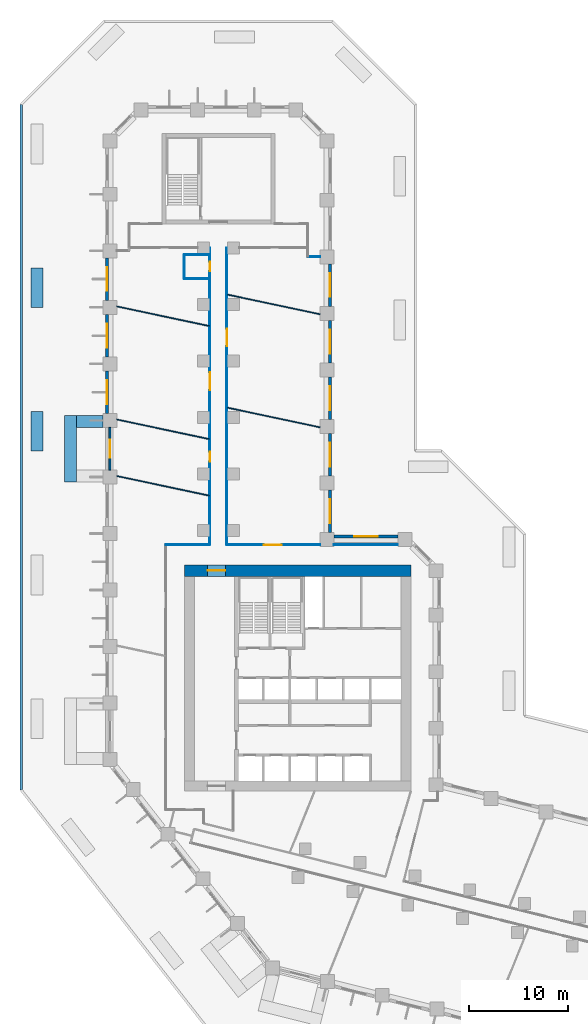
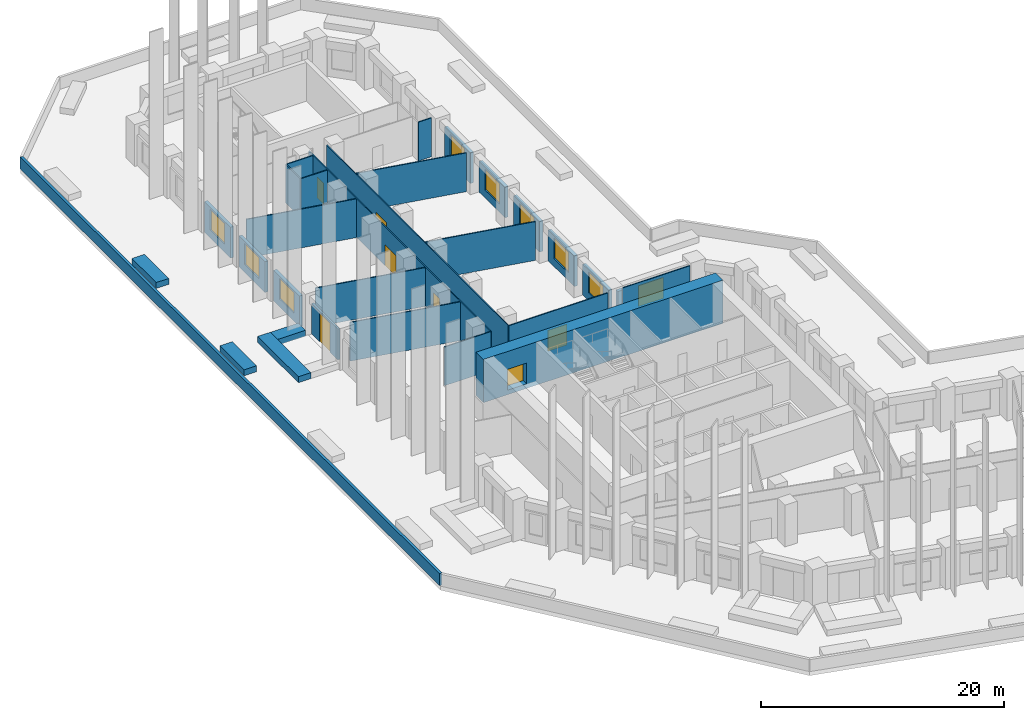
# One storey, part 9 of 13: 30 walls, 9 windows, 7 doors, 16 openings.
"""IFC4 building model written with IfcOpenShell, lengths in metres."""

import ifcopenshell
import ifcopenshell.guid

model = None  # the IFC model being written
_history = None  # IfcOwnerHistory: only IFC2X3 demands one
_inside = {}  # id of a spatial element -> (the spatial element, [elements in it])
_under = {}  # id of a project, library or spatial element -> (it, [spatial elements below it])
_declared = {}  # id of a project -> (the project, [libraries it declares])
_typed = {}  # id of a type object -> (the type object, [elements of that type])
_made_of = {}  # id of a material, layer set ... -> (it, [elements and type objects made of it])


def new_model(schema):
    """Start an empty IFC model of exactly this schema.

    Asked for "IFC4X3", IfcOpenShell would pick the latest addendum, in which some entities
    have other attributes; the version numbers below select the first issue.
    IFC2X3 requires an IfcOwnerHistory on every rooted entity: one is made here for all.
    """
    global model, _history
    if schema == "IFC4X3":
        model = ifcopenshell.file(schema_version=(4, 3, 0, 0))
    else:
        model = ifcopenshell.file(schema=schema)
    _inside.clear()
    _under.clear()
    _declared.clear()
    _typed.clear()
    _made_of.clear()
    _history = None
    if model.schema == "IFC2X3":
        org = make("IfcOrganization", Name="unknown")
        user = make(
            "IfcPersonAndOrganization",
            ThePerson=make("IfcPerson", FamilyName="unknown"),
            TheOrganization=org,
        )
        app = make(
            "IfcApplication",
            ApplicationDeveloper=org,
            Version="unknown",
            ApplicationFullName="unknown",
            ApplicationIdentifier="unknown",
        )
        _history = make(
            "IfcOwnerHistory",
            OwningUser=user,
            OwningApplication=app,
            ChangeAction="ADDED",
            CreationDate=0,
        )
    return model


def make(cls, **values):
    """One entity of the class cls with the attributes given. An attribute that is None is left unset."""
    return model.create_entity(
        cls, **{name: value for name, value in values.items() if value is not None}
    )


def rooted(cls, **values):
    """An entity with a GlobalId (a new one), such as an element, a storey or a relation."""
    return make(cls, GlobalId=ifcopenshell.guid.new(), OwnerHistory=_history, **values)


def si_unit(unit_type, name, prefix=None):
    """IfcSIUnit, for example si_unit("LENGTHUNIT", "METRE", prefix="MILLI")."""
    return make("IfcSIUnit", UnitType=unit_type, Prefix=prefix, Name=name)


def assignment(units):
    """IfcUnitAssignment: the units of a project."""
    return None if units is None else make("IfcUnitAssignment", Units=units)


def point(xyz):
    """IfcCartesianPoint."""
    return None if xyz is None else make("IfcCartesianPoint", Coordinates=xyz)


def direction(xyz):
    """IfcDirection."""
    return None if xyz is None else make("IfcDirection", DirectionRatios=xyz)


def frame(location, z_axis=None, x_axis=None):
    """IfcAxis2Placement3D, a coordinate frame: its origin and axes. An axis left out is left unset."""
    return make(
        "IfcAxis2Placement3D",
        Location=point(location),
        Axis=direction(z_axis),
        RefDirection=direction(x_axis),
    )


def frame_2d(location, x_axis=None):
    """IfcAxis2Placement2D, a coordinate frame in the plane: its origin and x axis."""
    return make(
        "IfcAxis2Placement2D", Location=point(location), RefDirection=direction(x_axis)
    )


def origin():
    """The frame at (0, 0, 0) with its axes left unset."""
    return frame((0.0, 0.0, 0.0))


def place(relative_to, where):
    """IfcLocalPlacement: puts the frame where relative to a parent placement (None: the world)."""
    return make(
        "IfcLocalPlacement", PlacementRelTo=relative_to, RelativePlacement=where
    )


def context(
    kind, dimensions, precision=None, world=None, true_north=None, identifier=None
):
    """IfcGeometricRepresentationContext, for example the 3D "Model" context."""
    return make(
        "IfcGeometricRepresentationContext",
        ContextIdentifier=identifier,
        ContextType=kind,
        CoordinateSpaceDimension=dimensions,
        Precision=precision,
        WorldCoordinateSystem=world,
        TrueNorth=true_north,
    )


def subcontext(parent, identifier, kind, view, scale=None):
    """IfcGeometricRepresentationSubContext, for example "Body" below "Model"."""
    return make(
        "IfcGeometricRepresentationSubContext",
        ContextIdentifier=identifier,
        ContextType=kind,
        ParentContext=parent,
        TargetScale=scale,
        TargetView=view,
    )


def project(units=None, contexts=None):
    """IfcProject with its units and contexts."""
    return rooted(
        "IfcProject",
        Name="project",
        RepresentationContexts=contexts,
        UnitsInContext=assignment(units),
    )


def spatial(cls, under=None, at=None, **own):
    """A site, building, storey or space (cls), placed at a placement, below another one or the project."""
    s = rooted(cls, ObjectPlacement=at, **own)
    if under is not None:
        _under.setdefault(under.id(), (under, []))[1].append(s)
    return s


def profile(cls, at=None, kind="AREA", **sizes):
    """A parametric profile (cls). Its sizes go by their IFC names, for example OverallWidth=200.0."""
    return make(cls, ProfileType=kind, Position=at, **sizes)


def rectangle(**sizes):
    """IfcRectangleProfileDef."""
    return profile("IfcRectangleProfileDef", **sizes)


def extrude(swept, where, along, depth):
    """IfcExtrudedAreaSolid: the profile swept, set in the frame where, extruded along a direction by depth."""
    return make(
        "IfcExtrudedAreaSolid",
        SweptArea=swept,
        Position=where,
        ExtrudedDirection=direction(along),
        Depth=depth,
    )


def shape(context_of_items, identifier, shape_type, items):
    """IfcShapeRepresentation: the items that make up one representation, for example the "Body"."""
    return make(
        "IfcShapeRepresentation",
        ContextOfItems=context_of_items,
        RepresentationIdentifier=identifier,
        RepresentationType=shape_type,
        Items=items,
    )


def material(Name=None, Category=None):
    """IfcMaterial."""
    return make("IfcMaterial", Name=Name, Category=Category)


def layer(
    of_material, thickness, ventilated=None, Name=None, Category=None, Priority=None
):
    """IfcMaterialLayer: one layer of a wall or slab, of a material (None: an air gap)."""
    return make(
        "IfcMaterialLayer",
        Material=of_material,
        LayerThickness=thickness,
        IsVentilated=ventilated,
        Name=Name,
        Category=Category,
        Priority=Priority,
    )


def layer_set(layers, Name=None):
    """IfcMaterialLayerSet."""
    return make("IfcMaterialLayerSet", MaterialLayers=layers, LayerSetName=Name)


def made_of(thing, what):
    """Note that an element or type object is made of a material, layer set ...; save() writes the relation."""
    if what is not None:
        _made_of.setdefault(what.id(), (what, []))[1].append(thing)
    return thing


def type_object(cls, material=None, **own):
    """A type object (cls), such as IfcWallType, which elements share."""
    return made_of(rooted(cls, **own), material)


def element(
    cls,
    number,
    at=None,
    inside=None,
    cuts=None,
    type_object=None,
    material=None,
    context=None,
    identifier="Body",
    shape_type=None,
    held_by="IfcProductDefinitionShape",
    body=None,
    shapes=None,
    **own,
):
    """One element of the class cls, such as IfcWall. Its Tag is "e" and its number.

    at: its placement. inside: the storey or other place that contains it. cuts: it is an
    opening in that element (IfcRelVoidsElement). A single representation is given by context,
    identifier, shape_type and body (its items); several are given by shapes. held_by: the class
    of the entity that holds the representations. save() writes the other relations.
    """
    e = rooted(cls, Tag="e%d" % number, ObjectPlacement=at, **own)
    if body is not None:
        shapes = [shape(context, identifier, shape_type, body)]
    if shapes is not None:
        e.Representation = make(held_by, Representations=shapes)
    if inside is not None:
        _inside.setdefault(inside.id(), (inside, []))[1].append(e)
    if cuts is not None:
        rooted(
            "IfcRelVoidsElement", RelatingBuildingElement=cuts, RelatedOpeningElement=e
        )
    if type_object is not None:
        _typed.setdefault(type_object.id(), (type_object, []))[1].append(e)
    return made_of(e, material)


def fill(opening, filler):
    """IfcRelFillsElement: the door or window that sits in an opening."""
    return rooted(
        "IfcRelFillsElement",
        RelatingOpeningElement=opening,
        RelatedBuildingElement=filler,
    )


def aggregate(whole, parts):
    """IfcRelAggregates: a whole, such as a stair, and the parts it consists of."""
    return rooted("IfcRelAggregates", RelatingObject=whole, RelatedObjects=parts)


def save(model, path):
    """Write the relations noted so far, then the file.

    IfcRelAggregates (storeys below a building ...), IfcRelContainedInSpatialStructure (elements
    in a storey), IfcRelDefinesByType, IfcRelAssociatesMaterial and IfcRelDeclares: one each for
    every whole, place, type object, material and project.
    """
    for whole, parts in _under.values():
        aggregate(whole, parts)
    for where, things in _inside.values():
        rooted(
            "IfcRelContainedInSpatialStructure",
            RelatedElements=things,
            RelatingStructure=where,
        )
    for kind, things in _typed.values():
        rooted("IfcRelDefinesByType", RelatedObjects=things, RelatingType=kind)
    for what, things in _made_of.values():
        rooted("IfcRelAssociatesMaterial", RelatedObjects=things, RelatingMaterial=what)
    for by, libraries in _declared.values():
        rooted("IfcRelDeclares", RelatingContext=by, RelatedDefinitions=libraries)
    model.write(path)


model = new_model("IFC4")

# Units and contexts
model_context = context("Model", 3, precision=1e-05, world=origin(), true_north=direction((0.0, 1.0)))
body_context = subcontext(model_context, "Body", "Model", "MODEL_VIEW")
ifc_project = project(units=[si_unit("LENGTHUNIT", "METRE"), si_unit("AREAUNIT", "SQUARE_METRE"), si_unit("VOLUMEUNIT", "CUBIC_METRE"), si_unit("PLANEANGLEUNIT", "RADIAN"), si_unit("MASSUNIT", "GRAM", prefix="KILO")], contexts=[model_context])

# Site, building, storey
site_placement = place(None, origin())
site = spatial("IfcSite", under=ifc_project, at=site_placement, CompositionType="ELEMENT")
building_placement = place(site_placement, origin())
building = spatial("IfcBuilding", under=site, at=building_placement, Name="Meshkara Civic Tower", CompositionType="ELEMENT")
storey_placement = place(building_placement, frame((0.0, 0.0, 33.0)))
storey = spatial("IfcBuildingStorey", under=building, at=storey_placement, Name="L06", CompositionType="ELEMENT", Elevation=33.0)

# Wall, opening, door
ifc_material_1 = material(Name="Concrete C80", Category="concrete")
ifc_layer_1 = layer(ifc_material_1, 1.199951171875)
ifc_layer_set_1 = layer_set([ifc_layer_1], Name="Core ring wall 1200 C80")
wall_type_1 = type_object("IfcWallType", Name="Core ring wall 1200 C80", PredefinedType="SHEAR", material=ifc_layer_set_1)
wall_1_placement = place(storey_placement, frame((8.0, 36.300048828125, -0.449951171875), z_axis=(0.0, 0.0, 1.0), x_axis=(1.0, 0.0, 0.0)))
wall_1 = element("IfcWall", 1, at=wall_1_placement, inside=storey, type_object=wall_type_1, Name="L06-C002", PredefinedType="SHEAR", context=body_context, shape_type="SweptSolid", body=[
    extrude(rectangle(XDim=22.800048828125, YDim=1.199951171875, at=frame_2d((11.39990234375, 0.0))), origin(), (0.0, 0.0, 1.0), 4.349853515625),
])
opening_1_placement = place(wall_1_placement, frame((2.300048828125, 0.0, 0.449951171875)))
opening_1 = element("IfcOpeningElement", 2, at=opening_1_placement, cuts=wall_1, Name="Opening L06-K020", PredefinedType="OPENING", context=body_context, shape_type="SweptSolid", body=[
    extrude(rectangle(XDim=1.800048828125, YDim=2.10009765625, at=frame_2d((0.89990234375, 1.050048828125))), frame((0.0, 0.60986328125, 0.0), z_axis=(0.0, -1.0, 0.0), x_axis=(1.0, 0.0, 0.0)), (0.0, 0.0, 1.0), 1.219970703125),
])
ifc_material_2 = material(Name="Fire-rated door leaf in steel frame", Category="steel")
door_type_1 = type_object("IfcDoorType", Name="Core double door 1800 EI 60", OperationType="DOUBLE_DOOR_SINGLE_SWING", PredefinedType="DOOR", material=ifc_material_2)
door_1_placement = place(opening_1_placement, origin())
door_1 = element("IfcDoor", 3, at=door_1_placement, inside=storey, type_object=door_type_1, Name="L06-K020", OperationType="DOUBLE_DOOR_SINGLE_SWING", OverallHeight=2.10009765625, OverallWidth=1.800048828125, PredefinedType="DOOR", context=body_context, shape_type="SweptSolid", body=[
    extrude(rectangle(XDim=1.800048828125, YDim=2.10009765625, at=frame_2d((0.89990234375, 1.050048828125))), frame((0.0, 0.02490234375, 0.0), z_axis=(0.0, -1.0, 0.0), x_axis=(1.0, 0.0, 0.0)), (0.0, 0.0, 1.0), 0.050048828125),
])
fill(opening_1, door_1)

# Wall
ifc_material_3 = material(Name="Corridor wall 100")
ifc_layer_2 = layer(ifc_material_3, 0.10009765625)
ifc_layer_set_2 = layer_set([ifc_layer_2], Name="Corridor wall 100")
wall_type_2 = type_object("IfcWallType", Name="Corridor wall 100", PredefinedType="PARTITIONING", material=ifc_layer_set_2)
wall_2_placement = place(storey_placement, frame((10.550048828125, 38.89990234375, 0.0), z_axis=(0.0, 0.0, 1.0), x_axis=(-1.0, 0.0, 0.0)))
element("IfcWall", 4, at=wall_2_placement, inside=storey, type_object=wall_type_2, Name="L06-W011", PredefinedType="PARTITIONING", context=body_context, shape_type="SweptSolid", body=[
    extrude(rectangle(XDim=4.449951171875, YDim=0.10009765625, at=frame_2d((2.22509765625, 0.0))), origin(), (0.0, 0.0, 1.0), 3.89990234375),
])

# Wall, openings, doors
wall_3_placement = place(storey_placement, frame((10.550048828125, 68.8701171875, 0.0), z_axis=(0.0, 0.0, 1.0), x_axis=(0.0, -1.0, 0.0)))
wall_3 = element("IfcWall", 5, at=wall_3_placement, inside=storey, type_object=wall_type_2, Name="L06-W012", PredefinedType="PARTITIONING", context=body_context, shape_type="SweptSolid", body=[
    extrude(rectangle(XDim=29.97021484375, YDim=0.10009765625, at=frame_2d((14.985107421875, 0.0))), origin(), (0.0, 0.0, 1.0), 3.89990234375),
])
opening_2_placement = place(wall_3_placement, frame((20.583984375, 0.0, 0.0)))
opening_2 = element("IfcOpeningElement", 6, at=opening_2_placement, cuts=wall_3, Name="Opening L06-D020", PredefinedType="OPENING", context=body_context, shape_type="SweptSolid", body=[
    extrude(rectangle(XDim=1.0, YDim=2.10009765625, at=frame_2d((0.5, 1.050048828125))), frame((0.0, 0.06005859375, 0.0), z_axis=(0.0, -1.0, 0.0), x_axis=(1.0, 0.0, 0.0)), (0.0, 0.0, 1.0), 0.1201171875),
])
opening_3_placement = place(wall_3_placement, frame((12.583984375, 0.0, 0.0)))
opening_3 = element("IfcOpeningElement", 7, at=opening_3_placement, cuts=wall_3, Name="Opening L06-D021", PredefinedType="OPENING", context=body_context, shape_type="SweptSolid", body=[
    extrude(rectangle(XDim=1.800048828125, YDim=2.10009765625, at=frame_2d((0.89990234375, 1.050048828125))), frame((0.0, 0.06005859375, 0.0), z_axis=(0.0, -1.0, 0.0), x_axis=(1.0, 0.0, 0.0)), (0.0, 0.0, 1.0), 0.1201171875),
])
opening_4_placement = place(wall_3_placement, frame((1.39697265625, 0.0, 0.0)))
opening_4 = element("IfcOpeningElement", 8, at=opening_4_placement, cuts=wall_3, Name="Opening L06-D025", PredefinedType="OPENING", context=body_context, shape_type="SweptSolid", body=[
    extrude(rectangle(XDim=1.0, YDim=2.10009765625, at=frame_2d((0.5, 1.050048828125))), frame((0.0, 0.06005859375, 0.0), z_axis=(0.0, -1.0, 0.0), x_axis=(1.0, 0.0, 0.0)), (0.0, 0.0, 1.0), 0.1201171875),
])
ifc_material_4 = material(Name="Door 1000 x 2100")
door_type_2 = type_object("IfcDoorType", Name="Door 1000 x 2100", OperationType="SINGLE_SWING_LEFT", PredefinedType="DOOR", material=ifc_material_4)
door_2_placement = place(opening_2_placement, origin())
door_2 = element("IfcDoor", 9, at=door_2_placement, inside=storey, type_object=door_type_2, Name="L06-D020", OperationType="SINGLE_SWING_RIGHT", OverallHeight=2.10009765625, OverallWidth=1.0, PredefinedType="DOOR", context=body_context, shape_type="SweptSolid", body=[
    extrude(rectangle(XDim=1.0, YDim=2.10009765625, at=frame_2d((0.5, 1.050048828125))), frame((0.0, 0.02490234375, 0.0), z_axis=(0.0, -1.0, 0.0), x_axis=(1.0, 0.0, 0.0)), (0.0, 0.0, 1.0), 0.050048828125),
])
fill(opening_2, door_2)
door_3_placement = place(opening_4_placement, origin())
door_3 = element("IfcDoor", 10, at=door_3_placement, inside=storey, type_object=door_type_2, Name="L06-D025", OperationType="SINGLE_SWING_RIGHT", OverallHeight=2.10009765625, OverallWidth=1.0, PredefinedType="DOOR", context=body_context, shape_type="SweptSolid", body=[
    extrude(rectangle(XDim=1.0, YDim=2.10009765625, at=frame_2d((0.5, 1.050048828125))), frame((0.0, 0.02490234375, 0.0), z_axis=(0.0, -1.0, 0.0), x_axis=(1.0, 0.0, 0.0)), (0.0, 0.0, 1.0), 0.050048828125),
])
fill(opening_4, door_3)
ifc_material_5 = material(Name="Door pair 1800 x 2100")
door_type_3 = type_object("IfcDoorType", Name="Door pair 1800 x 2100", OperationType="SINGLE_SWING_LEFT", PredefinedType="DOOR", material=ifc_material_5)
door_4_placement = place(opening_3_placement, origin())
door_4 = element("IfcDoor", 11, at=door_4_placement, inside=storey, type_object=door_type_3, Name="L06-D021", OperationType="DOUBLE_DOOR_SINGLE_SWING", OverallHeight=2.10009765625, OverallWidth=1.800048828125, PredefinedType="DOOR", context=body_context, shape_type="SweptSolid", body=[
    extrude(rectangle(XDim=1.800048828125, YDim=2.10009765625, at=frame_2d((0.89990234375, 1.050048828125))), frame((0.0, 0.02490234375, 0.0), z_axis=(0.0, -1.0, 0.0), x_axis=(1.0, 0.0, 0.0)), (0.0, 0.0, 1.0), 0.050048828125),
])
fill(opening_3, door_4)

# Wall, opening, door
wall_4_placement = place(storey_placement, frame((12.25, 38.89990234375, 0.0), z_axis=(0.0, 0.0, 1.0), x_axis=(0.0, 1.0, 0.0)))
wall_4 = element("IfcWall", 12, at=wall_4_placement, inside=storey, type_object=wall_type_2, Name="L06-W013", PredefinedType="PARTITIONING", context=body_context, shape_type="SweptSolid", body=[
    extrude(rectangle(XDim=29.97021484375, YDim=0.10009765625, at=frame_2d((14.985107421875, 0.0))), origin(), (0.0, 0.0, 1.0), 3.89990234375),
])
opening_5_placement = place(wall_4_placement, frame((20.02001953125, 0.0, 0.0)))
opening_5 = element("IfcOpeningElement", 13, at=opening_5_placement, cuts=wall_4, Name="Opening L06-D022", PredefinedType="OPENING", context=body_context, shape_type="SweptSolid", body=[
    extrude(rectangle(XDim=1.800048828125, YDim=2.10009765625, at=frame_2d((0.89990234375, 1.050048828125))), frame((0.0, 0.06005859375, 0.0), z_axis=(0.0, -1.0, 0.0), x_axis=(1.0, 0.0, 0.0)), (0.0, 0.0, 1.0), 0.1201171875),
])
door_5_placement = place(opening_5_placement, origin())
door_5 = element("IfcDoor", 14, at=door_5_placement, inside=storey, type_object=door_type_3, Name="L06-D022", OperationType="DOUBLE_DOOR_SINGLE_SWING", OverallHeight=2.10009765625, OverallWidth=1.800048828125, PredefinedType="DOOR", context=body_context, shape_type="SweptSolid", body=[
    extrude(rectangle(XDim=1.800048828125, YDim=2.10009765625, at=frame_2d((0.89990234375, 1.050048828125))), frame((0.0, 0.02490234375, 0.0), z_axis=(0.0, -1.0, 0.0), x_axis=(1.0, 0.0, 0.0)), (0.0, 0.0, 1.0), 0.050048828125),
])
fill(opening_5, door_5)

wall_5_placement = place(storey_placement, frame((21.64990234375, 38.89990234375, 0.0), z_axis=(0.0, 0.0, 1.0), x_axis=(-1.0, 0.0, 0.0)))
wall_5 = element("IfcWall", 15, at=wall_5_placement, inside=storey, type_object=wall_type_2, Name="L06-W018", PredefinedType="PARTITIONING", context=body_context, shape_type="SweptSolid", body=[
    extrude(rectangle(XDim=9.39990234375, YDim=0.10009765625, at=frame_2d((4.699951171875, 0.0))), origin(), (0.0, 0.0, 1.0), 3.89990234375),
])
opening_6_placement = place(wall_5_placement, frame((3.8798828125, 0.0, 0.0)))
opening_6 = element("IfcOpeningElement", 16, at=opening_6_placement, cuts=wall_5, Name="Opening L06-D019", PredefinedType="OPENING", context=body_context, shape_type="SweptSolid", body=[
    extrude(rectangle(XDim=1.800048828125, YDim=2.10009765625, at=frame_2d((0.89990234375, 1.050048828125))), frame((0.0, 0.06005859375, 0.0), z_axis=(0.0, -1.0, 0.0), x_axis=(1.0, 0.0, 0.0)), (0.0, 0.0, 1.0), 0.1201171875),
])
door_6_placement = place(opening_6_placement, origin())
door_6 = element("IfcDoor", 17, at=door_6_placement, inside=storey, type_object=door_type_3, Name="L06-D019", OperationType="DOUBLE_DOOR_SINGLE_SWING", OverallHeight=2.10009765625, OverallWidth=1.800048828125, PredefinedType="DOOR", context=body_context, shape_type="SweptSolid", body=[
    extrude(rectangle(XDim=1.800048828125, YDim=2.10009765625, at=frame_2d((0.89990234375, 1.050048828125))), frame((0.0, 0.02490234375, 0.0), z_axis=(0.0, -1.0, 0.0), x_axis=(1.0, 0.0, 0.0)), (0.0, 0.0, 1.0), 0.050048828125),
])
fill(opening_6, door_6)

# Wall
wall_6_placement = place(storey_placement, frame((29.493896484375, 38.89990234375, 0.0), z_axis=(0.0, 0.0, 1.0), x_axis=(-1.0, 0.0, 0.0)))
element("IfcWall", 18, at=wall_6_placement, inside=storey, type_object=wall_type_2, Name="L06-W019", PredefinedType="PARTITIONING", context=body_context, shape_type="SweptSolid", body=[
    extrude(rectangle(XDim=6.44384765625, YDim=0.10009765625, at=frame_2d((3.221923828125, 0.0))), origin(), (0.0, 0.0, 1.0), 3.89990234375),
])

# Wall, opening, window
ifc_material_6 = material(Name="Insulated infill panel with bronze anodised aluminium cladding", Category="aluminium")
ifc_layer_3 = layer(ifc_material_6, 0.300048828125)
ifc_layer_set_3 = layer_set([ifc_layer_3], Name="EXTERNAL INFILL WALL 300")
wall_type_3 = type_object("IfcWallType", Name="EXTERNAL INFILL WALL 300", PredefinedType="SOLIDWALL", material=ifc_layer_set_3)
wall_7_placement = place(storey_placement, frame((29.493896484375, 39.75, 0.0), z_axis=(0.0, 0.0, 1.0), x_axis=(-1.0, 0.0, 0.0)))
wall_7 = element("IfcWall", 19, at=wall_7_placement, inside=storey, type_object=wall_type_3, Name="External wall", PredefinedType="SOLIDWALL", context=body_context, shape_type="SweptSolid", body=[
    extrude(rectangle(XDim=6.44384765625, YDim=0.300048828125, at=frame_2d((3.221923828125, 0.0))), origin(), (0.0, 0.0, 1.0), 3.10009765625),
])
opening_7_placement = place(wall_7_placement, frame((2.02197265625, 0.0, 0.800048828125)))
opening_7 = element("IfcOpeningElement", 20, at=opening_7_placement, cuts=wall_7, Name="Opening W7", PredefinedType="OPENING", context=body_context, shape_type="SweptSolid", body=[
    extrude(rectangle(XDim=2.39990234375, YDim=2.10009765625, at=frame_2d((1.199951171875, 1.050048828125))), frame((0.0, 0.159912109375, 0.0), z_axis=(0.0, -1.0, 0.0), x_axis=(1.0, 0.0, 0.0)), (0.0, 0.0, 1.0), 0.320068359375),
])
ifc_material_7 = material(Name="Tinted double glazing", Category="glass")
window_type = type_object("IfcWindowType", Name="WINDOW 2400x2100", PartitioningType="DOUBLE_PANEL_VERTICAL", PredefinedType="WINDOW", material=ifc_material_7)
window_1_placement = place(opening_7_placement, origin())
window_1 = element("IfcWindow", 21, at=window_1_placement, inside=storey, type_object=window_type, Name="Window", OverallHeight=2.10009765625, OverallWidth=2.39990234375, PartitioningType="DOUBLE_PANEL_VERTICAL", PredefinedType="WINDOW", context=body_context, shape_type="SweptSolid", body=[
    extrude(rectangle(XDim=2.39990234375, YDim=2.10009765625, at=frame_2d((1.199951171875, 1.050048828125))), frame((0.0, 0.030029296875, 0.0), z_axis=(0.0, -1.0, 0.0), x_axis=(1.0, 0.0, 0.0)), (0.0, 0.0, 1.0), 0.06005859375),
])
fill(opening_7, window_1)

wall_8_placement = place(storey_placement, frame((22.64990234375, 40.14990234375, 0.0), z_axis=(0.0, 0.0, 1.0), x_axis=(0.0, 1.0, 0.0)))
wall_8 = element("IfcWall", 22, at=wall_8_placement, inside=storey, type_object=wall_type_3, Name="External wall", PredefinedType="SOLIDWALL", context=body_context, shape_type="SweptSolid", body=[
    extrude(rectangle(XDim=4.300048828125, YDim=0.300048828125, at=frame_2d((2.14990234375, 0.0))), origin(), (0.0, 0.0, 1.0), 3.10009765625),
])
opening_8_placement = place(wall_8_placement, frame((0.949951171875, 0.0, 0.800048828125)))
opening_8 = element("IfcOpeningElement", 23, at=opening_8_placement, cuts=wall_8, Name="Opening W7", PredefinedType="OPENING", context=body_context, shape_type="SweptSolid", body=[
    extrude(rectangle(XDim=2.39990234375, YDim=2.10009765625, at=frame_2d((1.199951171875, 1.050048828125))), frame((0.0, 0.159912109375, 0.0), z_axis=(0.0, -1.0, 0.0), x_axis=(1.0, 0.0, 0.0)), (0.0, 0.0, 1.0), 0.320068359375),
])
window_2_placement = place(opening_8_placement, origin())
window_2 = element("IfcWindow", 24, at=window_2_placement, inside=storey, type_object=window_type, Name="Window", OverallHeight=2.10009765625, OverallWidth=2.39990234375, PartitioningType="DOUBLE_PANEL_VERTICAL", PredefinedType="WINDOW", context=body_context, shape_type="SweptSolid", body=[
    extrude(rectangle(XDim=2.39990234375, YDim=2.10009765625, at=frame_2d((1.199951171875, 1.050048828125))), frame((0.0, 0.030029296875, 0.0), z_axis=(0.0, -1.0, 0.0), x_axis=(1.0, 0.0, 0.0)), (0.0, 0.0, 1.0), 0.06005859375),
])
fill(opening_8, window_2)

wall_9_placement = place(storey_placement, frame((22.64990234375, 45.85009765625, 0.0), z_axis=(0.0, 0.0, 1.0), x_axis=(0.0, 1.0, 0.0)))
wall_9 = element("IfcWall", 25, at=wall_9_placement, inside=storey, type_object=wall_type_3, Name="External wall", PredefinedType="SOLIDWALL", context=body_context, shape_type="SweptSolid", body=[
    extrude(rectangle(XDim=4.2998046875, YDim=0.300048828125, at=frame_2d((2.14990234375, 0.0))), origin(), (0.0, 0.0, 1.0), 3.10009765625),
])
opening_9_placement = place(wall_9_placement, frame((0.949951171875, 0.0, 0.800048828125)))
opening_9 = element("IfcOpeningElement", 26, at=opening_9_placement, cuts=wall_9, Name="Opening W7", PredefinedType="OPENING", context=body_context, shape_type="SweptSolid", body=[
    extrude(rectangle(XDim=2.39990234375, YDim=2.10009765625, at=frame_2d((1.199951171875, 1.050048828125))), frame((0.0, 0.159912109375, 0.0), z_axis=(0.0, -1.0, 0.0), x_axis=(1.0, 0.0, 0.0)), (0.0, 0.0, 1.0), 0.320068359375),
])
window_3_placement = place(opening_9_placement, origin())
window_3 = element("IfcWindow", 27, at=window_3_placement, inside=storey, type_object=window_type, Name="Window", OverallHeight=2.10009765625, OverallWidth=2.39990234375, PartitioningType="DOUBLE_PANEL_VERTICAL", PredefinedType="WINDOW", context=body_context, shape_type="SweptSolid", body=[
    extrude(rectangle(XDim=2.39990234375, YDim=2.10009765625, at=frame_2d((1.199951171875, 1.050048828125))), frame((0.0, 0.030029296875, 0.0), z_axis=(0.0, -1.0, 0.0), x_axis=(1.0, 0.0, 0.0)), (0.0, 0.0, 1.0), 0.06005859375),
])
fill(opening_9, window_3)

wall_10_placement = place(storey_placement, frame((22.64990234375, 51.550048828125, 0.0), z_axis=(0.0, 0.0, 1.0), x_axis=(0.0, 1.0, 0.0)))
wall_10 = element("IfcWall", 28, at=wall_10_placement, inside=storey, type_object=wall_type_3, Name="External wall", PredefinedType="SOLIDWALL", context=body_context, shape_type="SweptSolid", body=[
    extrude(rectangle(XDim=4.300048828125, YDim=0.300048828125, at=frame_2d((2.14990234375, 0.0))), origin(), (0.0, 0.0, 1.0), 3.10009765625),
])
opening_10_placement = place(wall_10_placement, frame((0.949951171875, 0.0, 0.800048828125)))
opening_10 = element("IfcOpeningElement", 29, at=opening_10_placement, cuts=wall_10, Name="Opening W7", PredefinedType="OPENING", context=body_context, shape_type="SweptSolid", body=[
    extrude(rectangle(XDim=2.39990234375, YDim=2.10009765625, at=frame_2d((1.199951171875, 1.050048828125))), frame((0.0, 0.159912109375, 0.0), z_axis=(0.0, -1.0, 0.0), x_axis=(1.0, 0.0, 0.0)), (0.0, 0.0, 1.0), 0.320068359375),
])
window_4_placement = place(opening_10_placement, origin())
window_4 = element("IfcWindow", 30, at=window_4_placement, inside=storey, type_object=window_type, Name="Window", OverallHeight=2.10009765625, OverallWidth=2.39990234375, PartitioningType="DOUBLE_PANEL_VERTICAL", PredefinedType="WINDOW", context=body_context, shape_type="SweptSolid", body=[
    extrude(rectangle(XDim=2.39990234375, YDim=2.10009765625, at=frame_2d((1.199951171875, 1.050048828125))), frame((0.0, 0.030029296875, 0.0), z_axis=(0.0, -1.0, 0.0), x_axis=(1.0, 0.0, 0.0)), (0.0, 0.0, 1.0), 0.06005859375),
])
fill(opening_10, window_4)

wall_11_placement = place(storey_placement, frame((22.64990234375, 57.25, 0.0), z_axis=(0.0, 0.0, 1.0), x_axis=(0.0, 1.0, 0.0)))
wall_11 = element("IfcWall", 31, at=wall_11_placement, inside=storey, type_object=wall_type_3, Name="External wall", PredefinedType="SOLIDWALL", context=body_context, shape_type="SweptSolid", body=[
    extrude(rectangle(XDim=4.300048828125, YDim=0.300048828125, at=frame_2d((2.14990234375, 0.0))), origin(), (0.0, 0.0, 1.0), 3.10009765625),
])
opening_11_placement = place(wall_11_placement, frame((0.949951171875, 0.0, 0.800048828125)))
opening_11 = element("IfcOpeningElement", 32, at=opening_11_placement, cuts=wall_11, Name="Opening W7", PredefinedType="OPENING", context=body_context, shape_type="SweptSolid", body=[
    extrude(rectangle(XDim=2.39990234375, YDim=2.10009765625, at=frame_2d((1.199951171875, 1.050048828125))), frame((0.0, 0.159912109375, 0.0), z_axis=(0.0, -1.0, 0.0), x_axis=(1.0, 0.0, 0.0)), (0.0, 0.0, 1.0), 0.320068359375),
])
window_5_placement = place(opening_11_placement, origin())
window_5 = element("IfcWindow", 33, at=window_5_placement, inside=storey, type_object=window_type, Name="Window", OverallHeight=2.10009765625, OverallWidth=2.39990234375, PartitioningType="DOUBLE_PANEL_VERTICAL", PredefinedType="WINDOW", context=body_context, shape_type="SweptSolid", body=[
    extrude(rectangle(XDim=2.39990234375, YDim=2.10009765625, at=frame_2d((1.199951171875, 1.050048828125))), frame((0.0, 0.030029296875, 0.0), z_axis=(0.0, -1.0, 0.0), x_axis=(1.0, 0.0, 0.0)), (0.0, 0.0, 1.0), 0.06005859375),
])
fill(opening_11, window_5)

wall_12_placement = place(storey_placement, frame((22.64990234375, 62.949951171875, 0.0), z_axis=(0.0, 0.0, 1.0), x_axis=(0.0, 1.0, 0.0)))
wall_12 = element("IfcWall", 34, at=wall_12_placement, inside=storey, type_object=wall_type_3, Name="External wall", PredefinedType="SOLIDWALL", context=body_context, shape_type="SweptSolid", body=[
    extrude(rectangle(XDim=4.300048828125, YDim=0.300048828125, at=frame_2d((2.14990234375, 0.0))), origin(), (0.0, 0.0, 1.0), 3.10009765625),
])
opening_12_placement = place(wall_12_placement, frame((0.949951171875, 0.0, 0.800048828125)))
opening_12 = element("IfcOpeningElement", 35, at=opening_12_placement, cuts=wall_12, Name="Opening W7", PredefinedType="OPENING", context=body_context, shape_type="SweptSolid", body=[
    extrude(rectangle(XDim=2.39990234375, YDim=2.10009765625, at=frame_2d((1.199951171875, 1.050048828125))), frame((0.0, 0.159912109375, 0.0), z_axis=(0.0, -1.0, 0.0), x_axis=(1.0, 0.0, 0.0)), (0.0, 0.0, 1.0), 0.320068359375),
])
window_6_placement = place(opening_12_placement, origin())
window_6 = element("IfcWindow", 36, at=window_6_placement, inside=storey, type_object=window_type, Name="Window", OverallHeight=2.10009765625, OverallWidth=2.39990234375, PartitioningType="DOUBLE_PANEL_VERTICAL", PredefinedType="WINDOW", context=body_context, shape_type="SweptSolid", body=[
    extrude(rectangle(XDim=2.39990234375, YDim=2.10009765625, at=frame_2d((1.199951171875, 1.050048828125))), frame((0.0, 0.030029296875, 0.0), z_axis=(0.0, -1.0, 0.0), x_axis=(1.0, 0.0, 0.0)), (0.0, 0.0, 1.0), 0.06005859375),
])
fill(opening_12, window_6)

wall_13_placement = place(storey_placement, frame((0.14990234375, 67.85498046875, 0.0), z_axis=(0.0, 0.0, 1.0), x_axis=(0.0, -1.0, 0.0)))
wall_13 = element("IfcWall", 37, at=wall_13_placement, inside=storey, type_object=wall_type_3, Name="External wall", PredefinedType="SOLIDWALL", context=body_context, shape_type="SweptSolid", body=[
    extrude(rectangle(XDim=4.300048828125, YDim=0.300048828125, at=frame_2d((2.14990234375, 0.0))), origin(), (0.0, 0.0, 1.0), 3.10009765625),
])
opening_13_placement = place(wall_13_placement, frame((0.949951171875, 0.0, 0.800048828125)))
opening_13 = element("IfcOpeningElement", 38, at=opening_13_placement, cuts=wall_13, Name="Opening W7", PredefinedType="OPENING", context=body_context, shape_type="SweptSolid", body=[
    extrude(rectangle(XDim=2.39990234375, YDim=2.10009765625, at=frame_2d((1.199951171875, 1.050048828125))), frame((0.0, 0.159912109375, 0.0), z_axis=(0.0, -1.0, 0.0), x_axis=(1.0, 0.0, 0.0)), (0.0, 0.0, 1.0), 0.320068359375),
])
window_7_placement = place(opening_13_placement, origin())
window_7 = element("IfcWindow", 39, at=window_7_placement, inside=storey, type_object=window_type, Name="Window", OverallHeight=2.10009765625, OverallWidth=2.39990234375, PartitioningType="DOUBLE_PANEL_VERTICAL", PredefinedType="WINDOW", context=body_context, shape_type="SweptSolid", body=[
    extrude(rectangle(XDim=2.39990234375, YDim=2.10009765625, at=frame_2d((1.199951171875, 1.050048828125))), frame((0.0, 0.030029296875, 0.0), z_axis=(0.0, -1.0, 0.0), x_axis=(1.0, 0.0, 0.0)), (0.0, 0.0, 1.0), 0.06005859375),
])
fill(opening_13, window_7)

wall_14_placement = place(storey_placement, frame((0.14990234375, 62.155029296875, 0.0), z_axis=(0.0, 0.0, 1.0), x_axis=(0.0, -1.0, 0.0)))
wall_14 = element("IfcWall", 40, at=wall_14_placement, inside=storey, type_object=wall_type_3, Name="External wall", PredefinedType="SOLIDWALL", context=body_context, shape_type="SweptSolid", body=[
    extrude(rectangle(XDim=4.300048828125, YDim=0.300048828125, at=frame_2d((2.14990234375, 0.0))), origin(), (0.0, 0.0, 1.0), 3.10009765625),
])
opening_14_placement = place(wall_14_placement, frame((0.949951171875, 0.0, 0.800048828125)))
opening_14 = element("IfcOpeningElement", 41, at=opening_14_placement, cuts=wall_14, Name="Opening W7", PredefinedType="OPENING", context=body_context, shape_type="SweptSolid", body=[
    extrude(rectangle(XDim=2.39990234375, YDim=2.10009765625, at=frame_2d((1.199951171875, 1.050048828125))), frame((0.0, 0.159912109375, 0.0), z_axis=(0.0, -1.0, 0.0), x_axis=(1.0, 0.0, 0.0)), (0.0, 0.0, 1.0), 0.320068359375),
])
window_8_placement = place(opening_14_placement, origin())
window_8 = element("IfcWindow", 42, at=window_8_placement, inside=storey, type_object=window_type, Name="Window", OverallHeight=2.10009765625, OverallWidth=2.39990234375, PartitioningType="DOUBLE_PANEL_VERTICAL", PredefinedType="WINDOW", context=body_context, shape_type="SweptSolid", body=[
    extrude(rectangle(XDim=2.39990234375, YDim=2.10009765625, at=frame_2d((1.199951171875, 1.050048828125))), frame((0.0, 0.030029296875, 0.0), z_axis=(0.0, -1.0, 0.0), x_axis=(1.0, 0.0, 0.0)), (0.0, 0.0, 1.0), 0.06005859375),
])
fill(opening_14, window_8)

wall_15_placement = place(storey_placement, frame((0.14990234375, 56.455078125, 0.0), z_axis=(0.0, 0.0, 1.0), x_axis=(0.0, -1.0, 0.0)))
wall_15 = element("IfcWall", 43, at=wall_15_placement, inside=storey, type_object=wall_type_3, Name="External wall", PredefinedType="SOLIDWALL", context=body_context, shape_type="SweptSolid", body=[
    extrude(rectangle(XDim=4.300048828125, YDim=0.300048828125, at=frame_2d((2.14990234375, 0.0))), origin(), (0.0, 0.0, 1.0), 3.10009765625),
])
opening_15_placement = place(wall_15_placement, frame((0.949951171875, 0.0, 0.800048828125)))
opening_15 = element("IfcOpeningElement", 44, at=opening_15_placement, cuts=wall_15, Name="Opening W7", PredefinedType="OPENING", context=body_context, shape_type="SweptSolid", body=[
    extrude(rectangle(XDim=2.39990234375, YDim=2.10009765625, at=frame_2d((1.199951171875, 1.050048828125))), frame((0.0, 0.159912109375, 0.0), z_axis=(0.0, -1.0, 0.0), x_axis=(1.0, 0.0, 0.0)), (0.0, 0.0, 1.0), 0.320068359375),
])
window_9_placement = place(opening_15_placement, origin())
window_9 = element("IfcWindow", 45, at=window_9_placement, inside=storey, type_object=window_type, Name="Window", OverallHeight=2.10009765625, OverallWidth=2.39990234375, PartitioningType="DOUBLE_PANEL_VERTICAL", PredefinedType="WINDOW", context=body_context, shape_type="SweptSolid", body=[
    extrude(rectangle(XDim=2.39990234375, YDim=2.10009765625, at=frame_2d((1.199951171875, 1.050048828125))), frame((0.0, 0.030029296875, 0.0), z_axis=(0.0, -1.0, 0.0), x_axis=(1.0, 0.0, 0.0)), (0.0, 0.0, 1.0), 0.06005859375),
])
fill(opening_15, window_9)

# Wall, opening, door
ifc_material_8 = material(Name="Insulated infill panel with bronze anodised aluminium cladding", Category="aluminium")
ifc_layer_4 = layer(ifc_material_8, 0.199951171875)
ifc_layer_set_4 = layer_set([ifc_layer_4], Name="LOGGIA BACK WALL 200")
wall_type_4 = type_object("IfcWallType", Name="LOGGIA BACK WALL 200", PredefinedType="SOLIDWALL", material=ifc_layer_set_4)
wall_16_placement = place(storey_placement, frame((0.449951171875, 50.7548828125, 0.0), z_axis=(0.0, 0.0, 1.0), x_axis=(0.0, -1.0, 0.0)))
wall_16 = element("IfcWall", 46, at=wall_16_placement, inside=storey, type_object=wall_type_4, Name="Loggia wall", PredefinedType="SOLIDWALL", context=body_context, shape_type="SweptSolid", body=[
    extrude(rectangle(XDim=4.298828125, YDim=0.199951171875, at=frame_2d((2.1494140625, 0.0))), origin(), (0.0, 0.0, 1.0), 3.10009765625),
])
opening_16_placement = place(wall_16_placement, frame((1.2490234375, 0.0, 0.0)))
opening_16 = element("IfcOpeningElement", 47, at=opening_16_placement, cuts=wall_16, Name="Opening L06-L001", PredefinedType="OPENING", context=body_context, shape_type="SweptSolid", body=[
    extrude(rectangle(XDim=1.800048828125, YDim=2.89990234375, at=frame_2d((0.89990234375, 1.449951171875))), frame((0.0, 0.10986328125, 0.0), z_axis=(0.0, -1.0, 0.0), x_axis=(1.0, 0.0, 0.0)), (0.0, 0.0, 1.0), 0.219970703125),
])
ifc_material_9 = material(Name="Tinted double glazing", Category="glass")
door_type_4 = type_object("IfcDoorType", Name="LOGGIA DOOR 1800x2900", OperationType="DOUBLE_DOOR_SINGLE_SWING", PredefinedType="DOOR", material=ifc_material_9)
door_7_placement = place(opening_16_placement, origin())
door_7 = element("IfcDoor", 48, at=door_7_placement, inside=storey, type_object=door_type_4, Name="L06-L001", OperationType="DOUBLE_DOOR_SINGLE_SWING", OverallHeight=2.89990234375, OverallWidth=1.800048828125, PredefinedType="DOOR", context=body_context, shape_type="SweptSolid", body=[
    extrude(rectangle(XDim=1.800048828125, YDim=2.89990234375, at=frame_2d((0.89990234375, 1.449951171875))), frame((0.0, 0.02490234375, 0.0), z_axis=(0.0, -1.0, 0.0), x_axis=(1.0, 0.0, 0.0)), (0.0, 0.0, 1.0), 0.050048828125),
])
fill(opening_16, door_7)

# Walls
ifc_material_10 = material(Name="Concrete C40", Category="concrete")
ifc_layer_5 = layer(ifc_material_10, 1.199951171875)
ifc_layer_set_5 = layer_set([ifc_layer_5], Name="PLANTING BED")
wall_type_5 = type_object("IfcWallType", Name="PLANTING BED", PredefinedType="SOLIDWALL", material=ifc_layer_set_5)
for number, where, z_axis, x_axis, name in (
    (49, (-6.8798828125, 48.35009765625, 0.0), (0.0, 0.0, 1.0), (0.0, 1.0, 0.0), "Planting bed"),
    (50, (-6.8798828125, 62.8359375, 0.0), (0.0, 0.0, 1.0), (0.0, 1.0, 0.0), "Planting bed"),
):
    element("IfcWall", number, at=place(storey_placement, frame(where, z_axis=z_axis, x_axis=x_axis)), inside=storey, type_object=wall_type_5, Name=name, PredefinedType="SOLIDWALL", context=body_context, shape_type="SweptSolid", body=[
        extrude(rectangle(XDim=4.0, YDim=1.199951171875, at=frame_2d((2.0, 0.0))), origin(), (0.0, 0.0, 1.0), 0.60009765625),
    ])
wall_17_placement = place(storey_placement, frame((-3.5, 51.955078125, 0.0), z_axis=(0.0, 0.0, 1.0), x_axis=(0.0, -1.0, 0.0)))
element("IfcWall", 51, at=wall_17_placement, inside=storey, type_object=wall_type_5, Name="Planting bed", PredefinedType="SOLIDWALL", context=body_context, shape_type="SweptSolid", body=[
    extrude(rectangle(XDim=6.7001953125, YDim=1.199951171875, at=frame_2d((3.35009765625, 0.0))), origin(), (0.0, 0.0, 1.0), 0.60009765625),
])
wall_18_placement = place(storey_placement, frame((-0.25, 51.35498046875, 0.0), z_axis=(0.0, 0.0, 1.0), x_axis=(-1.0, 0.0, 0.0)))
element("IfcWall", 52, at=wall_18_placement, inside=storey, type_object=wall_type_5, Name="Planting bed", PredefinedType="SOLIDWALL", context=body_context, shape_type="SweptSolid", body=[
    extrude(rectangle(XDim=2.64990234375, YDim=1.199951171875, at=frame_2d((1.324951171875, 0.0))), origin(), (0.0, 0.0, 1.0), 0.60009765625),
])
ifc_material_11 = material(Name="Partition 100")
ifc_layer_6 = layer(ifc_material_11, 0.10009765625)
ifc_layer_set_6 = layer_set([ifc_layer_6], Name="Partition 100")
wall_type_6 = type_object("IfcWallType", Name="Partition 100", PredefinedType="PARTITIONING", material=ifc_layer_set_6)
wall_19_placement = place(storey_placement, frame((7.949951171875, 65.7529296875, 0.0), z_axis=(0.0, 0.0, 1.0), x_axis=(0.0, 1.0, 0.0)))
element("IfcWall", 53, at=wall_19_placement, inside=storey, type_object=wall_type_6, Name="L06-W035", PredefinedType="PARTITIONING", context=body_context, shape_type="SweptSolid", body=[
    extrude(rectangle(XDim=2.400146484375, YDim=0.10009765625, at=frame_2d((1.2001953125, 0.0))), origin(), (0.0, 0.0, 1.0), 3.89990234375),
])
wall_20_placement = place(storey_placement, frame((7.949951171875, 68.153076171875, 0.0), z_axis=(0.0, 0.0, 1.0), x_axis=(1.0, 0.0, 0.0)))
element("IfcWall", 54, at=wall_20_placement, inside=storey, type_object=wall_type_6, Name="L06-W036", PredefinedType="PARTITIONING", context=body_context, shape_type="SweptSolid", body=[
    extrude(rectangle(XDim=2.550048828125, YDim=0.10009765625, at=frame_2d((1.27490234375, 0.0))), origin(), (0.0, 0.0, 1.0), 3.89990234375),
])
for number, where, z_axis, x_axis, name in (
    (55, (10.489990234375, 43.865966796875, 0.0), (0.0, 0.0, 1.0), (-0.978151637494, 0.207892698446, 0.0), "L06-W038"),
    (56, (10.489990234375, 49.56591796875, 0.0), (0.0, 0.0, 1.0), (-0.978151637494, 0.207892698446, 0.0), "L06-W039"),
):
    element("IfcWall", number, at=place(storey_placement, frame(where, z_axis=z_axis, x_axis=x_axis)), inside=storey, type_object=wall_type_6, Name=name, PredefinedType="PARTITIONING", context=body_context, shape_type="SweptSolid", body=[
        extrude(rectangle(XDim=9.548828125, YDim=0.10009765625, at=frame_2d((4.7744140625, 0.0))), origin(), (0.0, 0.0, 1.0), 3.89990234375),
    ])
wall_21_placement = place(storey_placement, frame((10.489990234375, 60.966064453125, 0.0), z_axis=(0.0, 0.0, 1.0), x_axis=(-0.978156836466, 0.207868235368, 0.0)))
element("IfcWall", 57, at=wall_21_placement, inside=storey, type_object=wall_type_6, Name="L06-W040", PredefinedType="PARTITIONING", context=body_context, shape_type="SweptSolid", body=[
    extrude(rectangle(XDim=9.548583984375, YDim=0.10009765625, at=frame_2d((4.7744140625, 0.0))), origin(), (0.0, 0.0, 1.0), 3.89990234375),
])
wall_22_placement = place(storey_placement, frame((10.5, 65.7529296875, 0.0), z_axis=(0.0, 0.0, 1.0), x_axis=(-1.0, 0.0, 0.0)))
element("IfcWall", 58, at=wall_22_placement, inside=storey, type_object=wall_type_6, Name="L06-W041", PredefinedType="PARTITIONING", context=body_context, shape_type="SweptSolid", body=[
    extrude(rectangle(XDim=2.550048828125, YDim=0.10009765625, at=frame_2d((1.27490234375, 0.0))), origin(), (0.0, 0.0, 1.0), 3.89990234375),
])
wall_23_placement = place(storey_placement, frame((21.64990234375, 50.7548828125, 0.0), z_axis=(0.0, 0.0, 1.0), x_axis=(-0.978150532424, 0.207897897824, 0.0)))
element("IfcWall", 59, at=wall_23_placement, inside=storey, type_object=wall_type_6, Name="L06-W044", PredefinedType="PARTITIONING", context=body_context, shape_type="SweptSolid", body=[
    extrude(rectangle(XDim=9.548583984375, YDim=0.10009765625, at=frame_2d((4.7744140625, 0.0))), origin(), (0.0, 0.0, 1.0), 3.89990234375),
])
wall_24_placement = place(storey_placement, frame((21.64990234375, 62.155029296875, 0.0), z_axis=(0.0, 0.0, 1.0), x_axis=(-0.978155731649, 0.207873434188, 0.0)))
element("IfcWall", 60, at=wall_24_placement, inside=storey, type_object=wall_type_6, Name="L06-W045", PredefinedType="PARTITIONING", context=body_context, shape_type="SweptSolid", body=[
    extrude(rectangle(XDim=9.54833984375, YDim=0.10009765625, at=frame_2d((4.774169921875, 0.0))), origin(), (0.0, 0.0, 1.0), 3.89990234375),
])
wall_25_placement = place(storey_placement, frame((21.64990234375, 67.949951171875, 0.0), z_axis=(0.0, 0.0, 1.0), x_axis=(-1.0, 0.0, 0.0)))
element("IfcWall", 61, at=wall_25_placement, inside=storey, type_object=wall_type_6, Name="L06-W046", PredefinedType="PARTITIONING", context=body_context, shape_type="SweptSolid", body=[
    extrude(rectangle(XDim=1.25, YDim=0.10009765625, at=frame_2d((0.625, 0.0))), origin(), (0.0, 0.0, 1.0), 3.89990234375),
])
ifc_material_12 = material(Name="Concrete C40", Category="concrete")
ifc_layer_7 = layer(ifc_material_12, 0.25)
ifc_layer_set_7 = layer_set([ifc_layer_7], Name="ROOF PARAPET 250")
wall_type_7 = type_object("IfcWallType", Name="ROOF PARAPET 250", PredefinedType="PARAPET", material=ifc_layer_set_7)
wall_26_placement = place(storey_placement, frame((-8.47998046875, 14.179931640625, 0.0), z_axis=(0.0, 0.0, 1.0), x_axis=(0.0, 1.0, 0.0)))
element("IfcWall", 62, at=wall_26_placement, inside=storey, type_object=wall_type_7, Name="Roof parapet", PredefinedType="PARAPET", context=body_context, shape_type="SweptSolid", body=[
    extrude(rectangle(XDim=69.133056640625, YDim=0.25, at=frame_2d((34.56640625, 0.0))), origin(), (0.0, 0.0, 1.0), 1.199951171875),
])

save(model, "model.ifc")
